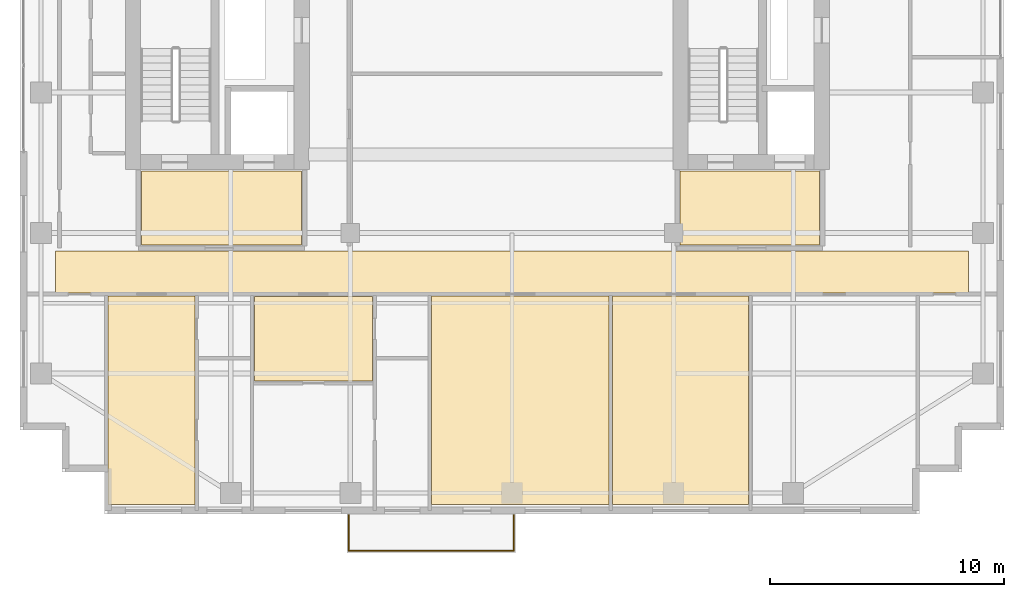
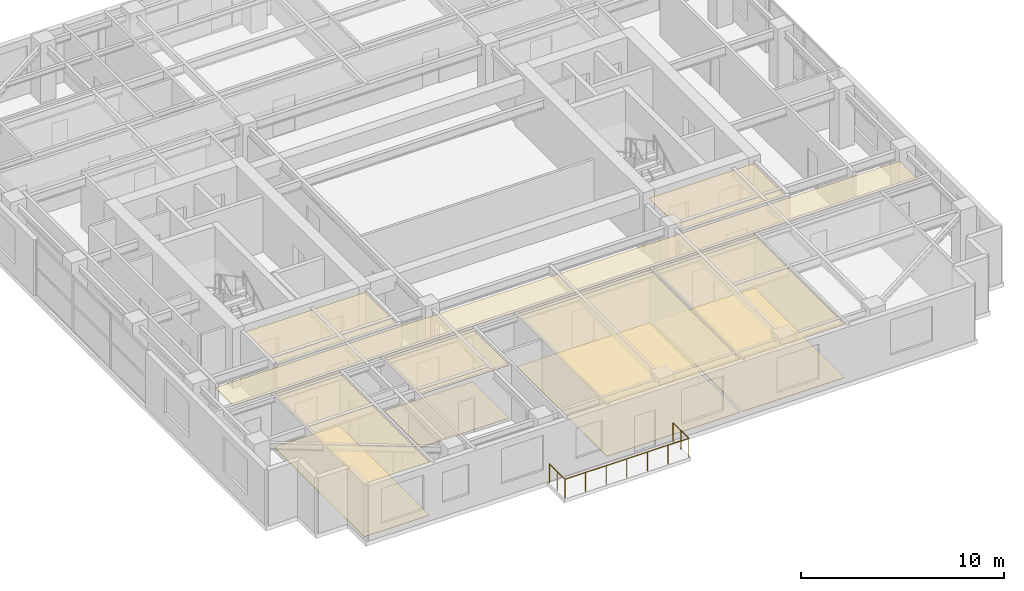
# One storey, part 13 of 15: 11 coverings, 1 railing.
"""IFC4 building model written with IfcOpenShell, lengths in metres."""

from ifc_helpers import new_model, si_unit, direction, frame, origin, origin_2d, place, context, subcontext, project, spatial, polyline, circle, outline, extrude, material, layer, layer_set, type_object, element, save


model = new_model("IFC4")

# Units and contexts
model_context = context("Model", 3, precision=1e-05, world=origin(), true_north=direction((0.0, 1.0)))
body_context = subcontext(model_context, "Body", "Model", "MODEL_VIEW")
ifc_project = project(units=[si_unit("LENGTHUNIT", "METRE"), si_unit("AREAUNIT", "SQUARE_METRE"), si_unit("VOLUMEUNIT", "CUBIC_METRE"), si_unit("PLANEANGLEUNIT", "RADIAN"), si_unit("MASSUNIT", "GRAM", prefix="KILO")], contexts=[model_context])

# Site, building, storey
site_placement = place(None, origin())
site = spatial("IfcSite", under=ifc_project, at=site_placement, CompositionType="ELEMENT")
building_placement = place(site_placement, origin())
building = spatial("IfcBuilding", under=site, at=building_placement, Name="Khoralis Quay Care Tower", CompositionType="ELEMENT")
storey_placement = place(building_placement, frame((0.0, 0.0, 162.89990234375)))
storey = spatial("IfcBuildingStorey", under=building, at=storey_placement, Name="L42", CompositionType="ELEMENT", Elevation=162.89990234375)

# Coverings
ifc_material_1 = material(Name="Mineral-fibre acoustic ceiling tile")
ifc_layer_1 = layer(ifc_material_1, 0.01806640625)
ifc_layer_set_1 = layer_set([ifc_layer_1], Name="Mineral-fibre acoustic ceiling tile")
covering_type_1 = type_object("IfcCoveringType", Name="COV-CEIL-AC18", PredefinedType="CEILING", material=ifc_layer_set_1)
covering_1_placement = place(storey_placement, frame((0.0, 0.0, 3.192138671875)))
element("IfcCovering", 1, at=covering_1_placement, inside=storey, type_object=covering_type_1, Name="Suspended Acoustic Ceiling SP-L42-FFLOB-W", PredefinedType="CEILING", context=body_context, shape_type="SweptSolid", body=[
    extrude(outline(polyline([(8.179931640625, 11.47998046875), (15.02001953125, 11.47998046875), (15.02001953125, 14.64990234375), (8.179931640625, 14.64990234375), (8.179931640625, 11.47998046875)])), origin(), (0.0, 0.0, 1.0), 0.01806640625),
])
covering_2_placement = place(storey_placement, frame((0.0, 0.0, 3.192138671875)))
element("IfcCovering", 2, at=covering_2_placement, inside=storey, type_object=covering_type_1, Name="Suspended Acoustic Ceiling SP-L42-FFLOB-E", PredefinedType="CEILING", context=body_context, shape_type="SweptSolid", body=[
    extrude(outline(polyline([(31.179931640625, 11.47998046875), (37.1201171875, 11.47998046875), (37.1201171875, 14.64990234375), (31.179931640625, 14.64990234375), (31.179931640625, 11.47998046875)])), origin(), (0.0, 0.0, 1.0), 0.01806640625),
])
covering_3_placement = place(storey_placement, frame((0.0, 0.0, 3.192138671875)))
element("IfcCovering", 3, at=covering_3_placement, inside=storey, type_object=covering_type_1, Name="Suspended Acoustic Ceiling SP-L42-CORR-S", PredefinedType="CEILING", context=body_context, shape_type="SweptSolid", body=[
    extrude(outline(polyline([(4.52001953125, 9.43994140625), (43.47998046875, 9.43994140625), (43.47998046875, 11.239990234375), (4.52001953125, 11.239990234375), (4.52001953125, 9.43994140625)])), origin(), (0.0, 0.0, 1.0), 0.01806640625),
])
covering_4_placement = place(storey_placement, frame((0.0, 0.0, 3.192138671875)))
element("IfcCovering", 4, at=covering_4_placement, inside=storey, type_object=covering_type_1, Name="Suspended Acoustic Ceiling SP-L42-SB-CARE0", PredefinedType="CEILING", context=body_context, shape_type="SweptSolid", body=[
    extrude(outline(polyline([(6.760009765625, 0.419921875), (10.469970703125, 0.419921875), (10.469970703125, 9.320068359375), (6.760009765625, 9.320068359375), (6.760009765625, 0.419921875)])), origin(), (0.0, 0.0, 1.0), 0.01806640625),
])
covering_5_placement = place(storey_placement, frame((0.0, 0.0, 3.192138671875)))
element("IfcCovering", 5, at=covering_5_placement, inside=storey, type_object=covering_type_1, Name="Suspended Acoustic Ceiling SP-L42-SB-CARE1", PredefinedType="CEILING", context=body_context, shape_type="SweptSolid", body=[
    extrude(outline(polyline([(13.0, 5.679931640625), (18.0400390625, 5.679931640625), (18.0400390625, 9.300048828125), (13.0, 9.300048828125), (13.0, 5.679931640625)])), origin(), (0.0, 0.0, 1.0), 0.01806640625),
])
covering_6_placement = place(storey_placement, frame((0.0, 0.0, 3.192138671875)))
element("IfcCovering", 6, at=covering_6_placement, inside=storey, type_object=covering_type_1, Name="Suspended Acoustic Ceiling SP-L42-SB-COM2", PredefinedType="CEILING", context=body_context, shape_type="SweptSolid", body=[
    extrude(outline(polyline([(20.570068359375, 0.419921875), (28.139892578125, 0.419921875), (28.139892578125, 9.320068359375), (20.570068359375, 9.320068359375), (20.570068359375, 0.419921875)])), origin(), (0.0, 0.0, 1.0), 0.01806640625),
])
covering_7_placement = place(storey_placement, frame((0.0, 0.0, 3.192138671875)))
element("IfcCovering", 7, at=covering_7_placement, inside=storey, type_object=covering_type_1, Name="Suspended Acoustic Ceiling SP-L42-SB-COM3", PredefinedType="CEILING", context=body_context, shape_type="SweptSolid", body=[
    extrude(outline(polyline([(28.300048828125, 0.419921875), (34.10009765625, 0.419921875), (34.10009765625, 9.320068359375), (28.300048828125, 9.320068359375), (28.300048828125, 0.419921875)])), origin(), (0.0, 0.0, 1.0), 0.01806640625),
])
ifc_material_2 = material(Name="Porcelain and non-slip vinyl flooring")
ifc_layer_2 = layer(ifc_material_2, 0.02001953125)
ifc_layer_set_2 = layer_set([ifc_layer_2], Name="Porcelain and non-slip vinyl flooring")
covering_type_2 = type_object("IfcCoveringType", Name="COV-FLOOR-20", PredefinedType="FLOORING", material=ifc_layer_set_2)
covering_8_placement = place(storey_placement, origin())
element("IfcCovering", 8, at=covering_8_placement, inside=storey, type_object=covering_type_2, Name="Resilient Healthcare Flooring SP-L42-SB-CARE0", PredefinedType="FLOORING", context=body_context, shape_type="SweptSolid", body=[
    extrude(outline(polyline([(6.760009765625, 0.419921875), (10.469970703125, 0.419921875), (10.469970703125, 9.320068359375), (6.760009765625, 9.320068359375), (6.760009765625, 0.419921875)])), origin(), (0.0, 0.0, 1.0), 0.02001953125),
])
covering_9_placement = place(storey_placement, origin())
element("IfcCovering", 9, at=covering_9_placement, inside=storey, type_object=covering_type_2, Name="Resilient Healthcare Flooring SP-L42-SB-CARE1", PredefinedType="FLOORING", context=body_context, shape_type="SweptSolid", body=[
    extrude(outline(polyline([(13.0, 5.679931640625), (18.0400390625, 5.679931640625), (18.0400390625, 9.300048828125), (13.0, 9.300048828125), (13.0, 5.679931640625)])), origin(), (0.0, 0.0, 1.0), 0.02001953125),
])
covering_10_placement = place(storey_placement, origin())
element("IfcCovering", 10, at=covering_10_placement, inside=storey, type_object=covering_type_2, Name="Resilient Healthcare Flooring SP-L42-SB-COM2", PredefinedType="FLOORING", context=body_context, shape_type="SweptSolid", body=[
    extrude(outline(polyline([(20.570068359375, 0.419921875), (28.139892578125, 0.419921875), (28.139892578125, 9.320068359375), (20.570068359375, 9.320068359375), (20.570068359375, 0.419921875)])), origin(), (0.0, 0.0, 1.0), 0.02001953125),
])
covering_11_placement = place(storey_placement, origin())
element("IfcCovering", 11, at=covering_11_placement, inside=storey, type_object=covering_type_2, Name="Resilient Healthcare Flooring SP-L42-SB-COM3", PredefinedType="FLOORING", context=body_context, shape_type="SweptSolid", body=[
    extrude(outline(polyline([(28.300048828125, 0.419921875), (34.10009765625, 0.419921875), (34.10009765625, 9.320068359375), (28.300048828125, 9.320068359375), (28.300048828125, 0.419921875)])), origin(), (0.0, 0.0, 1.0), 0.02001953125),
])

# Railing
ifc_material_3 = material(Name="Pale anodised aluminium", Category="aluminium")
railing_type = type_object("IfcRailingType", Name="RL-BALUST-1150", PredefinedType="BALUSTRADE", material=ifc_material_3)
railing_placement = place(storey_placement, frame((17.030029296875, -0.0400390625, -0.039794921875)))
element("IfcRailing", 12, at=railing_placement, inside=storey, type_object=railing_type, Name="L42 Senior Loggia Balcony Guard", PredefinedType="BALUSTRADE", context=body_context, shape_type="SweptSolid", body=[
    extrude(circle(Radius=0.02392578125, at=origin_2d()), frame((0.0, 0.0, 1.1259765625), z_axis=(0.0, -1.0, 0.0), x_axis=(1.0, 0.0, 0.0)), (0.0, 0.0, 1.0), 1.530029296875),
    extrude(circle(Radius=0.02392578125, at=origin_2d()), frame((0.0, -1.530029296875, 1.1259765625), z_axis=(1.0, 0.0, 0.0), x_axis=(0.0, 1.0, 0.0)), (0.0, 0.0, 1.0), 7.0400390625),
    extrude(circle(Radius=0.02392578125, at=origin_2d()), frame((7.0400390625, -1.530029296875, 1.1259765625), z_axis=(0.0, 1.0, 0.0), x_axis=(-1.0, 0.0, 0.0)), (0.0, 0.0, 1.0), 1.530029296875),
    extrude(circle(Radius=0.02099609375, at=origin_2d()), origin(), (0.0, 0.0, 1.0), 1.101806640625),
    extrude(circle(Radius=0.02099609375, at=origin_2d()), frame((0.0, -0.76513671875, 0.0)), (0.0, 0.0, 1.0), 1.101806640625),
    extrude(circle(Radius=0.02099609375, at=origin_2d()), frame((0.0, -1.530029296875, 0.0)), (0.0, 0.0, 1.0), 1.101806640625),
    extrude(circle(Radius=0.02099609375, at=origin_2d()), frame((1.17333984375, -1.530029296875, 0.0)), (0.0, 0.0, 1.0), 1.101806640625),
    extrude(circle(Radius=0.02099609375, at=origin_2d()), frame((2.3466796875, -1.530029296875, 0.0)), (0.0, 0.0, 1.0), 1.101806640625),
    extrude(circle(Radius=0.02099609375, at=origin_2d()), frame((3.52001953125, -1.530029296875, 0.0)), (0.0, 0.0, 1.0), 1.101806640625),
    extrude(circle(Radius=0.02099609375, at=origin_2d()), frame((4.693359375, -1.530029296875, 0.0)), (0.0, 0.0, 1.0), 1.101806640625),
    extrude(circle(Radius=0.02099609375, at=origin_2d()), frame((5.86669921875, -1.530029296875, 0.0)), (0.0, 0.0, 1.0), 1.101806640625),
    extrude(circle(Radius=0.02099609375, at=origin_2d()), frame((7.0400390625, -1.530029296875, 0.0)), (0.0, 0.0, 1.0), 1.101806640625),
    extrude(circle(Radius=0.02099609375, at=origin_2d()), frame((7.0400390625, -0.76513671875, 0.0)), (0.0, 0.0, 1.0), 1.101806640625),
    extrude(circle(Radius=0.02099609375, at=origin_2d()), frame((7.0400390625, 0.0, 0.0)), (0.0, 0.0, 1.0), 1.101806640625),
])

save(model, "model.ifc")
